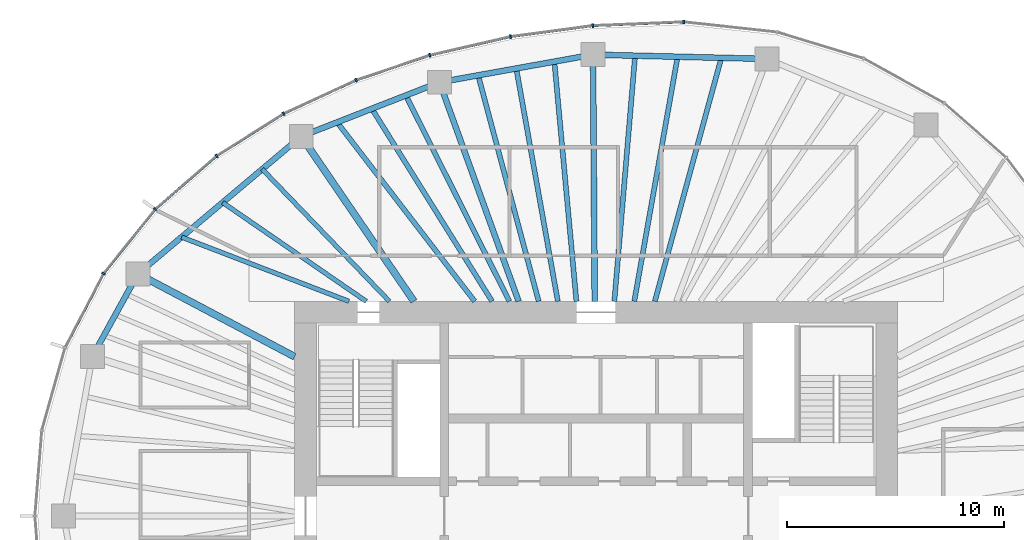
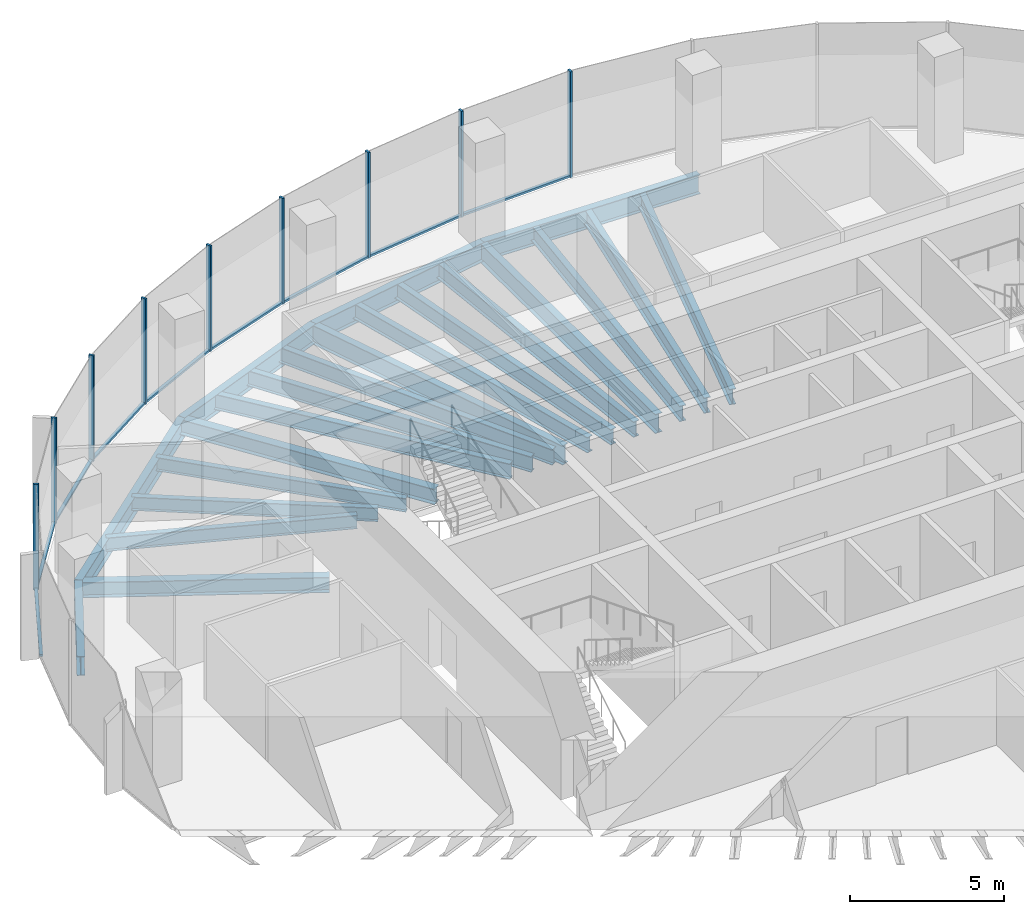
# One storey, part 5 of 11: 21 beams, 18 members, 5 elements without a shape of their own.
"""IFC4 building model written with IfcOpenShell, lengths in metres."""

from ifc_helpers import new_model, si_unit, direction, frame, origin, origin_2d, place, context, subcontext, project, spatial, rectangle, i_section, extrude, material, material_profile, profile_set, type_object, element, aggregate, save


model = new_model("IFC4")

# Units and contexts
model_context = context("Model", 3, precision=1e-05, world=origin(), true_north=direction((0.0, 1.0)))
body_context = subcontext(model_context, "Body", "Model", "MODEL_VIEW")
ifc_project = project(units=[si_unit("LENGTHUNIT", "METRE"), si_unit("AREAUNIT", "SQUARE_METRE"), si_unit("VOLUMEUNIT", "CUBIC_METRE"), si_unit("PLANEANGLEUNIT", "RADIAN"), si_unit("MASSUNIT", "GRAM", prefix="KILO")], contexts=[model_context])

# Site, building, storey
site_placement = place(None, origin())
site = spatial("IfcSite", under=ifc_project, at=site_placement, CompositionType="ELEMENT")
building_placement = place(site_placement, origin())
building = spatial("IfcBuilding", under=site, at=building_placement, Name="Ghaith Harvest Tower", CompositionType="ELEMENT")
storey_placement = place(building_placement, frame((0.0, 0.0, 283.800048828125)))
storey = spatial("IfcBuildingStorey", under=building, at=storey_placement, Name="L63", CompositionType="ELEMENT", Elevation=283.800048828125)

# Curtain wall, member
ifc_material_1 = material(Name="Black anodised aluminium and fritted glass", Category="aluminium")
curtain_wall_type = type_object("IfcCurtainWallType", Name="CW-T CURTAIN WALL", PredefinedType="NOTDEFINED", material=ifc_material_1)
curtain_wall_1_placement = place(storey_placement, origin())
curtain_wall_1 = element("IfcCurtainWall", 1, at=curtain_wall_1_placement, inside=storey, type_object=curtain_wall_type, Name="Curtain wall CW-T bay 05 L63", PredefinedType="NOTDEFINED")
ifc_material_2 = material(Name="Aluminium, black anodised", Category="aluminium")
ifc_material_profile_1 = material_profile(ifc_material_2, rectangle(XDim=0.080078125, YDim=0.179931640625, at=origin_2d()), Name="CW-T MULLION 80x180")
ifc_profile_set_1 = profile_set([ifc_material_profile_1], Name="Aluminium, black anodised")
member_type_1 = type_object("IfcMemberType", Name="CW-T MULLION 80x180", PredefinedType="MULLION", material=ifc_profile_set_1)
member_1_placement = place(storey_placement, frame((4.037841796875, 22.776611328125, 0.0), z_axis=(0.0, 0.0, 1.0), x_axis=(-0.999388631236, 0.034962319079, 0.0)))
member_1 = element("IfcMember", 2, at=member_1_placement, type_object=member_type_1, Name="CW-T mullion 2 bay 05 L63", PredefinedType="MULLION", context=body_context, shape_type="SweptSolid", body=[
    extrude(rectangle(XDim=0.080078125, YDim=0.179931640625, at=origin_2d()), origin(), (0.0, 0.0, 1.0), 4.199951171875),
])

# Curtain wall, members
curtain_wall_2_placement = place(storey_placement, origin())
curtain_wall_2 = element("IfcCurtainWall", 3, at=curtain_wall_2_placement, inside=storey, type_object=curtain_wall_type, Name="Curtain wall CW-T bay 06 L63", PredefinedType="NOTDEFINED")
member_2_placement = place(storey_placement, frame((-0.15478515625, 22.60595703125, 0.0), z_axis=(0.0, 0.0, 1.0), x_axis=(-0.996414855482, -0.084601629853, 0.0)))
member_2 = element("IfcMember", 4, at=member_2_placement, type_object=member_type_1, Name="CW-T mullion 1 bay 06 L63", PredefinedType="MULLION", context=body_context, shape_type="SweptSolid", body=[
    extrude(rectangle(XDim=0.080078125, YDim=0.179931640625, at=origin_2d()), origin(), (0.0, 0.0, 1.0), 4.199951171875),
])
member_3_placement = place(storey_placement, frame((-3.946533203125, 22.0986328125, 0.0), z_axis=(0.0, 0.0, 1.0), x_axis=(-0.983843447681, -0.179030920389, 0.0)))
member_3 = element("IfcMember", 5, at=member_3_placement, type_object=member_type_1, Name="CW-T mullion 2 bay 06 L63", PredefinedType="MULLION", context=body_context, shape_type="SweptSolid", body=[
    extrude(rectangle(XDim=0.080078125, YDim=0.179931640625, at=origin_2d()), origin(), (0.0, 0.0, 1.0), 4.199951171875),
])

curtain_wall_3_placement = place(storey_placement, origin())
curtain_wall_3 = element("IfcCurtainWall", 6, at=curtain_wall_3_placement, inside=storey, type_object=curtain_wall_type, Name="Curtain wall CW-T bay 07 L63", PredefinedType="NOTDEFINED")
member_4_placement = place(storey_placement, frame((-7.6708984375, 21.23828125, 0.0), z_axis=(0.0, 0.0, 1.0), x_axis=(-0.962552491436, -0.27109537294, 0.0)))
member_4 = element("IfcMember", 7, at=member_4_placement, type_object=member_type_1, Name="CW-T mullion 1 bay 07 L63", PredefinedType="MULLION", context=body_context, shape_type="SweptSolid", body=[
    extrude(rectangle(XDim=0.080078125, YDim=0.179931640625, at=origin_2d()), origin(), (0.0, 0.0, 1.0), 4.199951171875),
])
member_5_placement = place(storey_placement, frame((-11.0673828125, 20.093017578125, 0.0), z_axis=(0.0, 0.0, 1.0), x_axis=(-0.928624420706, -0.371021138573, 0.0)))
member_5 = element("IfcMember", 8, at=member_5_placement, type_object=member_type_1, Name="CW-T mullion 2 bay 07 L63", PredefinedType="MULLION", context=body_context, shape_type="SweptSolid", body=[
    extrude(rectangle(XDim=0.080078125, YDim=0.179931640625, at=origin_2d()), origin(), (0.0, 0.0, 1.0), 4.199951171875),
])

curtain_wall_4_placement = place(storey_placement, origin())
curtain_wall_4 = element("IfcCurtainWall", 9, at=curtain_wall_4_placement, inside=storey, type_object=curtain_wall_type, Name="Curtain wall CW-T bay 08 L63", PredefinedType="NOTDEFINED")
member_6_placement = place(storey_placement, frame((-14.40478515625, 18.5478515625, 0.0), z_axis=(0.0, 0.0, 1.0), x_axis=(-0.87867173244, -0.477426420101, 0.0)))
member_6 = element("IfcMember", 10, at=member_6_placement, type_object=member_type_1, Name="CW-T mullion 1 bay 08 L63", PredefinedType="MULLION", context=body_context, shape_type="SweptSolid", body=[
    extrude(rectangle(XDim=0.080078125, YDim=0.179931640625, at=origin_2d()), origin(), (0.0, 0.0, 1.0), 4.199951171875),
])
member_7_placement = place(storey_placement, frame((-17.49462890625, 16.600830078125, 0.0), z_axis=(0.0, 0.0, 1.0), x_axis=(-0.802189888678, -0.597068993084, 0.0)))
member_7 = element("IfcMember", 11, at=member_7_placement, type_object=member_type_1, Name="CW-T mullion 2 bay 08 L63", PredefinedType="MULLION", context=body_context, shape_type="SweptSolid", body=[
    extrude(rectangle(XDim=0.080078125, YDim=0.179931640625, at=origin_2d()), origin(), (0.0, 0.0, 1.0), 4.199951171875),
])

curtain_wall_5_placement = place(storey_placement, origin())
curtain_wall_5 = element("IfcCurtainWall", 12, at=curtain_wall_5_placement, inside=storey, type_object=curtain_wall_type, Name="Curtain wall CW-T bay 09 L63", PredefinedType="NOTDEFINED")
member_8_placement = place(storey_placement, frame((-20.324462890625, 14.141845703125, 0.0), z_axis=(0.0, 0.0, 1.0), x_axis=(-0.692826491995, -0.72110432809, 0.0)))
member_8 = element("IfcMember", 13, at=member_8_placement, type_object=member_type_1, Name="CW-T mullion 1 bay 09 L63", PredefinedType="MULLION", context=body_context, shape_type="SweptSolid", body=[
    extrude(rectangle(XDim=0.080078125, YDim=0.179931640625, at=origin_2d()), origin(), (0.0, 0.0, 1.0), 4.199951171875),
])
member_9_placement = place(storey_placement, frame((-22.706298828125, 11.176513671875, 0.0), z_axis=(0.0, 0.0, 1.0), x_axis=(-0.545865412621, -0.837872872997, 0.0)))
member_9 = element("IfcMember", 14, at=member_9_placement, type_object=member_type_1, Name="CW-T mullion 2 bay 09 L63", PredefinedType="MULLION", context=body_context, shape_type="SweptSolid", body=[
    extrude(rectangle(XDim=0.080078125, YDim=0.179931640625, at=origin_2d()), origin(), (0.0, 0.0, 1.0), 4.199951171875),
])

# Member
ifc_material_3 = material(Name="Aluminium, black anodised", Category="aluminium")
ifc_material_profile_2 = material_profile(ifc_material_3, rectangle(XDim=0.1201171875, YDim=0.080078125, at=origin_2d()), Name="CW-T TRANSOM 120x80")
ifc_profile_set_2 = profile_set([ifc_material_profile_2], Name="Aluminium, black anodised")
member_type_2 = type_object("IfcMemberType", Name="CW-T TRANSOM 120x80", PredefinedType="USERDEFINED", material=ifc_profile_set_2)
member_10_placement = place(storey_placement, frame((3.997802734375, 22.77490234375, 0.0400390625), z_axis=(-0.999174207562, -0.040631304968, 0.0), x_axis=(0.040631304968, -0.999174207562, 0.0)))
member_10 = element("IfcMember", 15, at=member_10_placement, type_object=member_type_2, Name="CW-T transom 2 bay 05 L63", ObjectType="TRANSOM", PredefinedType="USERDEFINED", context=body_context, shape_type="SweptSolid", body=[
    extrude(rectangle(XDim=0.1201171875, YDim=0.080078125, at=origin_2d()), origin(), (0.0, 0.0, 1.0), 4.115966796875),
])

aggregate(curtain_wall_1, [member_1, member_10])

member_11_placement = place(storey_placement, frame((-0.1943359375, 22.6005859375, 0.0400390625), z_axis=(-0.99117202259, -0.132582131655, 0.0), x_axis=(0.132582131655, -0.99117202259, 0.0)))
member_11 = element("IfcMember", 16, at=member_11_placement, type_object=member_type_2, Name="CW-T transom 1 bay 06 L63", ObjectType="TRANSOM", PredefinedType="USERDEFINED", context=body_context, shape_type="SweptSolid", body=[
    extrude(rectangle(XDim=0.1201171875, YDim=0.080078125, at=origin_2d()), origin(), (0.0, 0.0, 1.0), 3.745361328125),
])

member_12_placement = place(storey_placement, frame((-3.9853515625, 22.089599609375, 0.0400390625), z_axis=(-0.974344997799, -0.225059603803, 0.0), x_axis=(0.225059603803, -0.974344997799, 0.0)))
member_12 = element("IfcMember", 17, at=member_12_placement, type_object=member_type_2, Name="CW-T transom 2 bay 06 L63", ObjectType="TRANSOM", PredefinedType="USERDEFINED", context=body_context, shape_type="SweptSolid", body=[
    extrude(rectangle(XDim=0.1201171875, YDim=0.080078125, at=origin_2d()), origin(), (0.0, 0.0, 1.0), 3.742431640625),
])

aggregate(curtain_wall_2, [member_2, member_11, member_3, member_12])

member_13_placement = place(storey_placement, frame((-7.708740234375, 21.2255859375, 0.0400390625), z_axis=(-0.9475698206, -0.319548799228, 0.0), x_axis=(0.319548799228, -0.9475698206, 0.0)))
member_13 = element("IfcMember", 18, at=member_13_placement, type_object=member_type_2, Name="CW-T transom 1 bay 07 L63", ObjectType="TRANSOM", PredefinedType="USERDEFINED", context=body_context, shape_type="SweptSolid", body=[
    extrude(rectangle(XDim=0.1201171875, YDim=0.080078125, at=origin_2d()), origin(), (0.0, 0.0, 1.0), 3.504638671875),
])

member_14_placement = place(storey_placement, frame((-11.103759765625, 20.076171875, 0.0400390625), z_axis=(-0.907472177056, -0.420112184862, 0.0), x_axis=(0.420112184862, -0.907472177056, 0.0)))
member_14 = element("IfcMember", 19, at=member_14_placement, type_object=member_type_2, Name="CW-T transom 2 bay 07 L63", ObjectType="TRANSOM", PredefinedType="USERDEFINED", context=body_context, shape_type="SweptSolid", body=[
    extrude(rectangle(XDim=0.1201171875, YDim=0.080078125, at=origin_2d()), origin(), (0.0, 0.0, 1.0), 3.597900390625),
])

aggregate(curtain_wall_3, [member_4, member_13, member_5, member_14])

member_15_placement = place(storey_placement, frame((-14.438720703125, 18.5263671875, 0.0400390625), z_axis=(-0.846053602505, -0.533097835006, 0.0), x_axis=(0.533097835006, -0.846053602505, 0.0)))
member_15 = element("IfcMember", 20, at=member_15_placement, type_object=member_type_2, Name="CW-T transom 1 bay 08 L63", ObjectType="TRANSOM", PredefinedType="USERDEFINED", context=body_context, shape_type="SweptSolid", body=[
    extrude(rectangle(XDim=0.1201171875, YDim=0.080078125, at=origin_2d()), origin(), (0.0, 0.0, 1.0), 3.572021484375),
])

member_16_placement = place(storey_placement, frame((-17.52490234375, 16.574462890625, 0.0400390625), z_axis=(-0.754851889287, -0.65589528527, 0.0), x_axis=(0.65589528527, -0.754851889287, 0.0)))
member_16 = element("IfcMember", 21, at=member_16_placement, type_object=member_type_2, Name="CW-T transom 2 bay 08 L63", ObjectType="TRANSOM", PredefinedType="USERDEFINED", context=body_context, shape_type="SweptSolid", body=[
    extrude(rectangle(XDim=0.1201171875, YDim=0.080078125, at=origin_2d()), origin(), (0.0, 0.0, 1.0), 3.668701171875),
])

aggregate(curtain_wall_4, [member_6, member_15, member_7, member_16])

member_17_placement = place(storey_placement, frame((-20.349365234375, 14.110595703125, 0.0400390625), z_axis=(-0.626253073761, -0.779619835307, 0.0), x_axis=(0.779619835307, -0.626253073761, 0.0)))
member_17 = element("IfcMember", 22, at=member_17_placement, type_object=member_type_2, Name="CW-T transom 1 bay 09 L63", ObjectType="TRANSOM", PredefinedType="USERDEFINED", context=body_context, shape_type="SweptSolid", body=[
    extrude(rectangle(XDim=0.1201171875, YDim=0.080078125, at=origin_2d()), origin(), (0.0, 0.0, 1.0), 3.723388671875),
])

member_18_placement = place(storey_placement, frame((-22.724609375, 11.14111328125, 0.0400390625), z_axis=(-0.461242681347, -0.887274021317, 0.0), x_axis=(0.887274021317, -0.461242681347, 0.0)))
member_18 = element("IfcMember", 23, at=member_18_placement, type_object=member_type_2, Name="CW-T transom 2 bay 09 L63", ObjectType="TRANSOM", PredefinedType="USERDEFINED", context=body_context, shape_type="SweptSolid", body=[
    extrude(rectangle(XDim=0.1201171875, YDim=0.080078125, at=origin_2d()), origin(), (0.0, 0.0, 1.0), 3.77197265625),
])

aggregate(curtain_wall_5, [member_8, member_17, member_9, member_18])

# Beams
ifc_material_4 = material(Name="Steel ASTM A992 Grade 50", Category="steel")
ifc_material_profile_3 = material_profile(ifc_material_4, i_section(OverallWidth=0.26611328125, OverallDepth=0.758056640625, WebThickness=0.013916015625, FlangeThickness=0.019287109375, at=origin_2d()), Name="W760X161")
ifc_profile_set_3 = profile_set([ifc_material_profile_3], Name="Steel ASTM A992 Grade 50")
beam_type_1 = type_object("IfcBeamType", Name="E760-161 W760X161", PredefinedType="SPANDREL", material=ifc_profile_set_3)
beam_1_placement = place(storey_placement, frame((7.8779296875, 21.072021484375, -0.549072265625), z_axis=(-0.999692679676, 0.024790042413, 0.0), x_axis=(-0.024790042413, -0.999692679676, 0.0)))
element("IfcBeam", 24, at=beam_1_placement, inside=storey, type_object=beam_type_1, Name="Edge beam E05 L63", PredefinedType="SPANDREL", context=body_context, shape_type="SweptSolid", body=[
    extrude(i_section(OverallWidth=0.26611328125, OverallDepth=0.758056640625, WebThickness=0.013916015625, FlangeThickness=0.019287109375, at=origin_2d()), origin(), (0.0, 0.0, 1.0), 8.0263671875),
])
beam_2_placement = place(storey_placement, frame((-0.14599609375, 21.27099609375, -0.549072265625), z_axis=(-0.984177047684, -0.177187863051, 0.0), x_axis=(0.177187863051, -0.984177047684, 0.0)))
element("IfcBeam", 25, at=beam_2_placement, inside=storey, type_object=beam_type_1, Name="Edge beam E06 L63", PredefinedType="SPANDREL", context=body_context, shape_type="SweptSolid", body=[
    extrude(i_section(OverallWidth=0.26611328125, OverallDepth=0.758056640625, WebThickness=0.013916015625, FlangeThickness=0.019287109375, at=origin_2d()), origin(), (0.0, 0.0, 1.0), 7.189697265625),
])
beam_3_placement = place(storey_placement, frame((-7.221923828125, 19.9970703125, -0.549072265625), z_axis=(-0.931322768207, -0.364194867371, 0.0), x_axis=(0.364194867371, -0.931322768207, 0.0)))
element("IfcBeam", 26, at=beam_3_placement, inside=storey, type_object=beam_type_1, Name="Edge beam E07 L63", PredefinedType="SPANDREL", context=body_context, shape_type="SweptSolid", body=[
    extrude(i_section(OverallWidth=0.26611328125, OverallDepth=0.758056640625, WebThickness=0.013916015625, FlangeThickness=0.019287109375, at=origin_2d()), origin(), (0.0, 0.0, 1.0), 6.843017578125),
])
beam_4_placement = place(storey_placement, frame((-13.594970703125, 17.5048828125, -0.549072265625), z_axis=(-0.765021818761, -0.64400436087, 0.0), x_axis=(0.64400436087, -0.765021818761, 0.0)))
element("IfcBeam", 27, at=beam_4_placement, inside=storey, type_object=beam_type_1, Name="Edge beam E08 L63", PredefinedType="SPANDREL", context=body_context, shape_type="SweptSolid", body=[
    extrude(i_section(OverallWidth=0.26611328125, OverallDepth=0.758056640625, WebThickness=0.013916015625, FlangeThickness=0.019287109375, at=origin_2d()), origin(), (0.0, 0.0, 1.0), 9.8427734375),
])
beam_5_placement = place(storey_placement, frame((-21.125, 11.166015625, -0.549072265625), z_axis=(-0.482955575345, -0.875644855089, 0.0), x_axis=(0.875644855089, -0.482955575345, 0.0)))
element("IfcBeam", 28, at=beam_5_placement, inside=storey, type_object=beam_type_1, Name="Edge beam E09 L63", PredefinedType="SPANDREL", context=body_context, shape_type="SweptSolid", body=[
    extrude(i_section(OverallWidth=0.26611328125, OverallDepth=0.758056640625, WebThickness=0.013916015625, FlangeThickness=0.019287109375, at=origin_2d()), origin(), (0.0, 0.0, 1.0), 4.346435546875),
])
ifc_material_5 = material(Name="Steel ASTM A992 Grade 50", Category="steel")
ifc_material_profile_4 = material_profile(ifc_material_5, i_section(OverallWidth=0.323974609375, OverallDepth=0.611083984375, WebThickness=0.0126953125, FlangeThickness=0.01904296875, at=origin_2d()), Name="W610X155")
ifc_profile_set_4 = profile_set([ifc_material_profile_4], Name="Steel ASTM A992 Grade 50")
beam_type_2 = type_object("IfcBeamType", Name="G610-155 W610X155", PredefinedType="BEAM", material=ifc_profile_set_4)
beam_6_placement = place(storey_placement, frame((-8.39990234375, 9.89990234375, -0.4755859375), z_axis=(-0.564067018201, 0.825729010619, 0.0), x_axis=(-0.825729010619, -0.564067018201, 0.0)))
element("IfcBeam", 29, at=beam_6_placement, inside=storey, type_object=beam_type_2, Name="Radial girder G08 L63", PredefinedType="BEAM", context=body_context, shape_type="SweptSolid", body=[
    extrude(i_section(OverallWidth=0.323974609375, OverallDepth=0.611083984375, WebThickness=0.0126953125, FlangeThickness=0.01904296875, at=origin_2d()), origin(), (0.0, 0.0, 1.0), 9.2099609375),
])
beam_7_placement = place(storey_placement, frame((-13.89990234375, 7.34716796875, -0.4755859375), z_axis=(-0.88410164037, 0.467294649546, 0.0), x_axis=(-0.467294649546, -0.88410164037, 0.0)))
element("IfcBeam", 30, at=beam_7_placement, inside=storey, type_object=beam_type_2, Name="Radial girder G09 L63", PredefinedType="BEAM", context=body_context, shape_type="SweptSolid", body=[
    extrude(i_section(OverallWidth=0.323974609375, OverallDepth=0.611083984375, WebThickness=0.0126953125, FlangeThickness=0.01904296875, at=origin_2d()), origin(), (0.0, 0.0, 1.0), 8.17236328125),
])
ifc_material_6 = material(Name="Steel ASTM A992 Grade 50", Category="steel")
ifc_material_profile_5 = material_profile(ifc_material_6, i_section(OverallWidth=0.26611328125, OverallDepth=0.758056640625, WebThickness=0.013916015625, FlangeThickness=0.019287109375, at=origin_2d()), Name="W760X161")
ifc_profile_set_5 = profile_set([ifc_material_profile_5], Name="Steel ASTM A992 Grade 50")
beam_type_3 = type_object("IfcBeamType", Name="G760-161 W760X161", PredefinedType="BEAM", material=ifc_profile_set_5)
beam_8_placement = place(storey_placement, frame((-0.06787109375, 9.89990234375, -0.549072265625), z_axis=(-0.00687032909, 0.999976399011, 0.0), x_axis=(-0.999976399011, -0.00687032909, 0.0)))
element("IfcBeam", 31, at=beam_8_placement, inside=storey, type_object=beam_type_3, Name="Radial girder G06 L63", PredefinedType="BEAM", context=body_context, shape_type="SweptSolid", body=[
    extrude(i_section(OverallWidth=0.26611328125, OverallDepth=0.758056640625, WebThickness=0.013916015625, FlangeThickness=0.019287109375, at=origin_2d()), origin(), (0.0, 0.0, 1.0), 11.371337890625),
])
beam_9_placement = place(storey_placement, frame((-3.57568359375, 9.89990234375, -0.549072265625), z_axis=(-0.339647816823, 0.940552688863, 0.0), x_axis=(-0.940552688863, -0.339647816823, 0.0)))
element("IfcBeam", 32, at=beam_9_placement, inside=storey, type_object=beam_type_3, Name="Radial girder G07 L63", PredefinedType="BEAM", context=body_context, shape_type="SweptSolid", body=[
    extrude(i_section(OverallWidth=0.26611328125, OverallDepth=0.758056640625, WebThickness=0.013916015625, FlangeThickness=0.019287109375, at=origin_2d()), origin(), (0.0, 0.0, 1.0), 10.7353515625),
])
ifc_material_7 = material(Name="Steel ASTM A992 Grade 50", Category="steel")
ifc_material_profile_6 = material_profile(ifc_material_7, i_section(OverallWidth=0.2109375, OverallDepth=0.5390625, WebThickness=0.01171875, FlangeThickness=0.018798828125, at=origin_2d()), Name="W530X109")
ifc_profile_set_6 = profile_set([ifc_material_profile_6], Name="Steel ASTM A992 Grade 50")
beam_type_4 = type_object("IfcBeamType", Name="J530-109 W530X109", PredefinedType="JOIST", material=ifc_profile_set_6)
beam_10_placement = place(storey_placement, frame((-9.530517578125, 9.89990234375, -0.439453125), z_axis=(-0.693536238632, 0.720421741554, 0.0), x_axis=(-0.720421741554, -0.693536238632, 0.0)))
element("IfcBeam", 33, at=beam_10_placement, inside=storey, type_object=beam_type_4, Name="Joist J08.1 L63", PredefinedType="JOIST", context=body_context, shape_type="SweptSolid", body=[
    extrude(i_section(OverallWidth=0.2109375, OverallDepth=0.5390625, WebThickness=0.01171875, FlangeThickness=0.018798828125, at=origin_2d()), origin(), (0.0, 0.0, 1.0), 8.4541015625),
])
beam_11_placement = place(storey_placement, frame((-10.60009765625, 9.89990234375, -0.439453125), z_axis=(-0.823778502511, 0.566911791023, 0.0), x_axis=(-0.566911791023, -0.823778502511, 0.0)))
element("IfcBeam", 34, at=beam_11_placement, inside=storey, type_object=beam_type_4, Name="Joist J08.2 L63", PredefinedType="JOIST", context=body_context, shape_type="SweptSolid", body=[
    extrude(i_section(OverallWidth=0.2109375, OverallDepth=0.5390625, WebThickness=0.01171875, FlangeThickness=0.018798828125, at=origin_2d()), origin(), (0.0, 0.0, 1.0), 8.0341796875),
])
beam_12_placement = place(storey_placement, frame((-11.39990234375, 9.89990234375, -0.439453125), z_axis=(-0.933583045329, 0.358361127181, 0.0), x_axis=(-0.358361127181, -0.933583045329, 0.0)))
element("IfcBeam", 35, at=beam_12_placement, inside=storey, type_object=beam_type_4, Name="Joist J08.3 L63", PredefinedType="JOIST", context=body_context, shape_type="SweptSolid", body=[
    extrude(i_section(OverallWidth=0.2109375, OverallDepth=0.5390625, WebThickness=0.01171875, FlangeThickness=0.018798828125, at=origin_2d()), origin(), (0.0, 0.0, 1.0), 8.260986328125),
])
ifc_material_8 = material(Name="Steel ASTM A992 Grade 50", Category="steel")
ifc_material_profile_7 = material_profile(ifc_material_8, i_section(OverallWidth=0.22998046875, OverallDepth=0.616943359375, WebThickness=0.01318359375, FlangeThickness=0.022216796875, at=origin_2d()), Name="W610X140")
ifc_profile_set_7 = profile_set([ifc_material_profile_7], Name="Steel ASTM A992 Grade 50")
beam_type_5 = type_object("IfcBeamType", Name="J610-140 W610X140", PredefinedType="JOIST", material=ifc_profile_set_7)
beam_13_placement = place(storey_placement, frame((2.70361328125, 9.89990234375, -0.478515625), z_axis=(0.263456499314, 0.964671277156, 0.0), x_axis=(-0.964671277156, 0.263456499314, 0.0)))
element("IfcBeam", 36, at=beam_13_placement, inside=storey, type_object=beam_type_5, Name="Joist J05.1 L63", PredefinedType="JOIST", context=body_context, shape_type="SweptSolid", body=[
    extrude(i_section(OverallWidth=0.22998046875, OverallDepth=0.616943359375, WebThickness=0.01318359375, FlangeThickness=0.022216796875, at=origin_2d()), origin(), (0.0, 0.0, 1.0), 11.635498046875),
])
beam_14_placement = place(storey_placement, frame((1.7548828125, 9.89990234375, -0.478515625), z_axis=(0.174562528022, 0.984646090639, 0.0), x_axis=(-0.984646090639, 0.174562528022, 0.0)))
element("IfcBeam", 37, at=beam_14_placement, inside=storey, type_object=beam_type_5, Name="Joist J05.2 L63", PredefinedType="JOIST", context=body_context, shape_type="SweptSolid", body=[
    extrude(i_section(OverallWidth=0.22998046875, OverallDepth=0.616943359375, WebThickness=0.01318359375, FlangeThickness=0.022216796875, at=origin_2d()), origin(), (0.0, 0.0, 1.0), 11.4501953125),
])
beam_15_placement = place(storey_placement, frame((0.836669921875, 9.89990234375, -0.478515625), z_axis=(0.084199386432, 0.996448926601, 0.0), x_axis=(-0.996448926601, 0.084199386432, 0.0)))
element("IfcBeam", 38, at=beam_15_placement, inside=storey, type_object=beam_type_5, Name="Joist J05.3 L63", PredefinedType="JOIST", context=body_context, shape_type="SweptSolid", body=[
    extrude(i_section(OverallWidth=0.22998046875, OverallDepth=0.616943359375, WebThickness=0.01318359375, FlangeThickness=0.022216796875, at=origin_2d()), origin(), (0.0, 0.0, 1.0), 11.36328125),
])
beam_16_placement = place(storey_placement, frame((-0.9111328125, 9.89990234375, -0.478515625), z_axis=(-0.091654473201, 0.995790870385, 0.0), x_axis=(-0.995790870385, -0.091654473201, 0.0)))
element("IfcBeam", 39, at=beam_16_placement, inside=storey, type_object=beam_type_5, Name="Joist J06.1 L63", PredefinedType="JOIST", context=body_context, shape_type="SweptSolid", body=[
    extrude(i_section(OverallWidth=0.22998046875, OverallDepth=0.616943359375, WebThickness=0.01318359375, FlangeThickness=0.022216796875, at=origin_2d()), origin(), (0.0, 0.0, 1.0), 11.096923828125),
])
beam_17_placement = place(storey_placement, frame((-1.76806640625, 9.89990234375, -0.478515625), z_axis=(-0.175789088574, 0.984427852277, 0.0), x_axis=(-0.984427852277, -0.175789088574, 0.0)))
element("IfcBeam", 40, at=beam_17_placement, inside=storey, type_object=beam_type_5, Name="Joist J06.2 L63", PredefinedType="JOIST", context=body_context, shape_type="SweptSolid", body=[
    extrude(i_section(OverallWidth=0.22998046875, OverallDepth=0.616943359375, WebThickness=0.01318359375, FlangeThickness=0.022216796875, at=origin_2d()), origin(), (0.0, 0.0, 1.0), 10.903564453125),
])
beam_18_placement = place(storey_placement, frame((-2.651123046875, 9.89990234375, -0.478515625), z_axis=(-0.258678376387, 0.96596350738, 0.0), x_axis=(-0.96596350738, -0.258678376387, 0.0)))
element("IfcBeam", 41, at=beam_18_placement, inside=storey, type_object=beam_type_5, Name="Joist J06.3 L63", PredefinedType="JOIST", context=body_context, shape_type="SweptSolid", body=[
    extrude(i_section(OverallWidth=0.22998046875, OverallDepth=0.616943359375, WebThickness=0.01318359375, FlangeThickness=0.022216796875, at=origin_2d()), origin(), (0.0, 0.0, 1.0), 10.784912109375),
])
beam_19_placement = place(storey_placement, frame((-4.0, 9.89990234375, -0.478515625), z_axis=(-0.449556131123, 0.893252083664, 0.0), x_axis=(-0.893252083664, -0.449556131123, 0.0)))
element("IfcBeam", 42, at=beam_19_placement, inside=storey, type_object=beam_type_5, Name="Joist J07.1 L63", PredefinedType="JOIST", context=body_context, shape_type="SweptSolid", body=[
    extrude(i_section(OverallWidth=0.22998046875, OverallDepth=0.616943359375, WebThickness=0.01318359375, FlangeThickness=0.022216796875, at=origin_2d()), origin(), (0.0, 0.0, 1.0), 10.62353515625),
])
beam_20_placement = place(storey_placement, frame((-4.800048828125, 9.89990234375, -0.478515625), z_axis=(-0.529596254905, 0.848249849273, 0.0), x_axis=(-0.848249849273, -0.529596254905, 0.0)))
element("IfcBeam", 43, at=beam_20_placement, inside=storey, type_object=beam_type_5, Name="Joist J07.2 L63", PredefinedType="JOIST", context=body_context, shape_type="SweptSolid", body=[
    extrude(i_section(OverallWidth=0.22998046875, OverallDepth=0.616943359375, WebThickness=0.01318359375, FlangeThickness=0.022216796875, at=origin_2d()), origin(), (0.0, 0.0, 1.0), 10.465087890625),
])
beam_21_placement = place(storey_placement, frame((-5.60009765625, 9.89990234375, -0.478515625), z_axis=(-0.609353577926, 0.792898617144, 0.0), x_axis=(-0.792898617144, -0.609353577926, 0.0)))
element("IfcBeam", 44, at=beam_21_placement, inside=storey, type_object=beam_type_5, Name="Joist J07.3 L63", PredefinedType="JOIST", context=body_context, shape_type="SweptSolid", body=[
    extrude(i_section(OverallWidth=0.22998046875, OverallDepth=0.616943359375, WebThickness=0.01318359375, FlangeThickness=0.022216796875, at=origin_2d()), origin(), (0.0, 0.0, 1.0), 10.406982421875),
])

save(model, "model.ifc")
